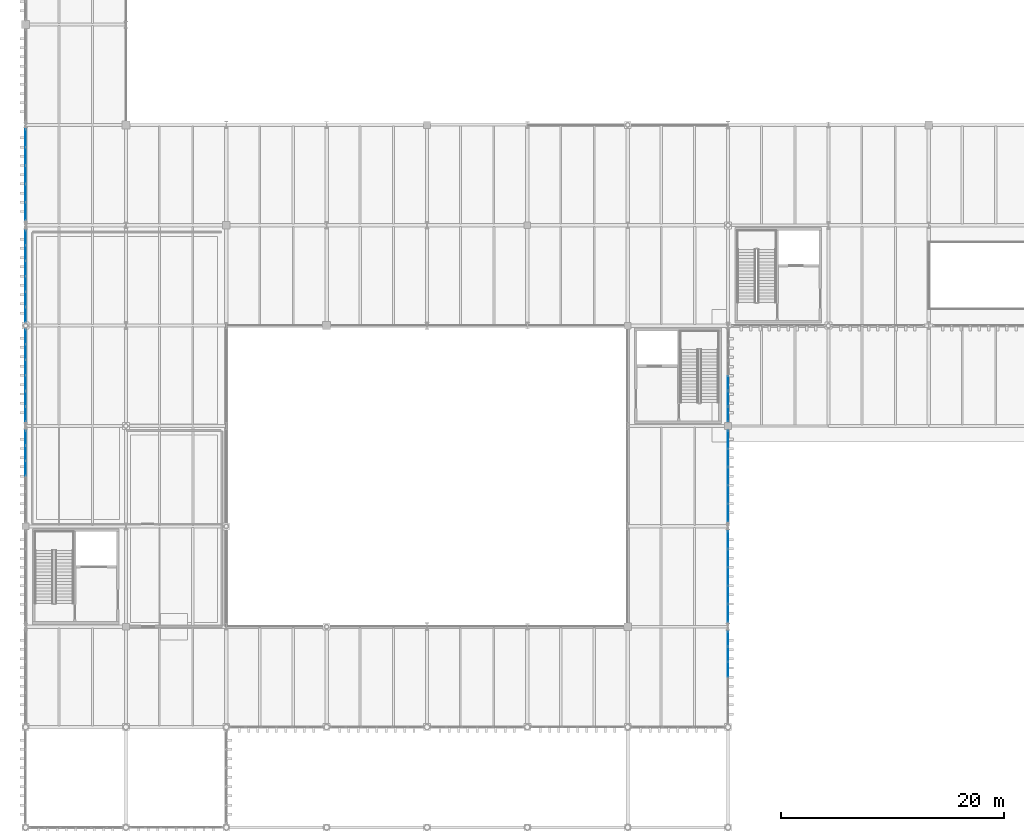
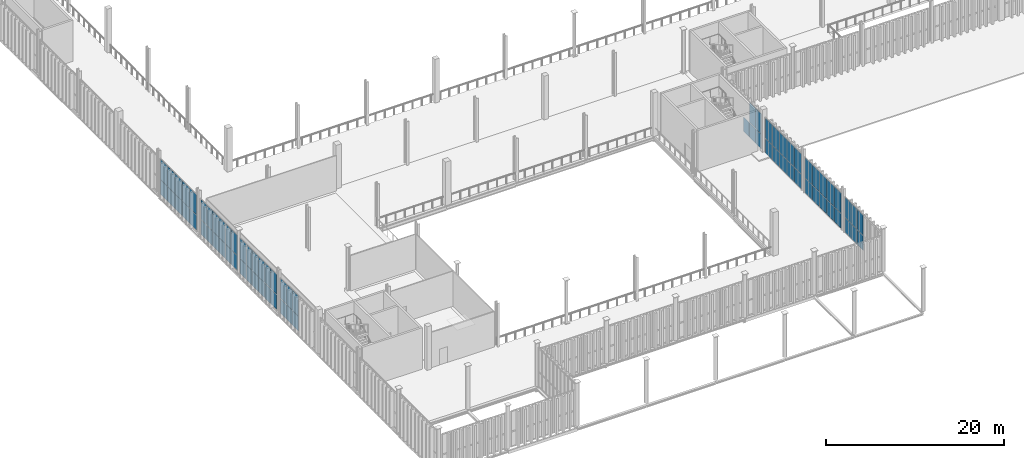
# One storey, part 153 of 211: 71 plates, 8 elements without a shape of their own.
"""IFC4 building model written with IfcOpenShell, lengths in metres."""

from ifc_helpers import new_model, si_unit, direction, frame, origin, origin_2d, place, context, subcontext, project, spatial, rectangle, extrude, material, layer, layer_set, type_object, element, aggregate, save


model = new_model("IFC4")

# Units and contexts
model_context = context("Model", 3, precision=1e-05, world=origin(), true_north=direction((0.0, 1.0)))
body_context = subcontext(model_context, "Body", "Model", "MODEL_VIEW")
ifc_project = project(units=[si_unit("LENGTHUNIT", "METRE"), si_unit("AREAUNIT", "SQUARE_METRE"), si_unit("VOLUMEUNIT", "CUBIC_METRE"), si_unit("PLANEANGLEUNIT", "RADIAN"), si_unit("MASSUNIT", "GRAM", prefix="KILO")], contexts=[model_context])

# Site, building, storey
site_placement = place(None, origin())
site = spatial("IfcSite", under=ifc_project, at=site_placement, CompositionType="ELEMENT")
building_placement = place(site_placement, origin())
building = spatial("IfcBuilding", under=site, at=building_placement, Name="Barlavento Convention Centre", CompositionType="ELEMENT")
storey_placement = place(building_placement, frame((0.0, 0.0, 6.0)))
storey = spatial("IfcBuildingStorey", under=building, at=storey_placement, Name="L01", CompositionType="ELEMENT", Elevation=6.0)

# Curtain wall, plates
ifc_material_1 = material(Name="Powder-coated aluminium and Low-E glass", Category="aluminium")
ifc_layer_1 = layer(ifc_material_1, 0.179931640625)
ifc_layer_set_1 = layer_set([ifc_layer_1], Name="ARC-CW-EXH-L01")
curtain_wall_type_1 = type_object("IfcCurtainWallType", Name="ARC-CW-EXH-L01", PredefinedType="NOTDEFINED", material=ifc_layer_set_1)
curtain_wall_1_placement = place(storey_placement, origin())
curtain_wall_1 = element("IfcCurtainWall", 1, at=curtain_wall_1_placement, inside=storey, type_object=curtain_wall_type_1, Name="L01 unitised curtain wall CW04", PredefinedType="NOTDEFINED")
ifc_material_2 = material(Name="Double-silver Low-E insulated glass", Category="glass")
ifc_layer_2 = layer(ifc_material_2, 0.028076171875)
ifc_layer_set_2 = layer_set([ifc_layer_2], Name="ARC-CWP-GLZ28")
plate_type_1 = type_object("IfcPlateType", Name="ARC-CWP-GLZ28", PredefinedType="CURTAIN_PANEL", material=ifc_layer_set_2)
plate_1_placement = place(storey_placement, frame((0.0, 55.254638671875, 0.06005859375), z_axis=(0.0, 0.0, 1.0), x_axis=(0.0, 1.0, 0.0)))
plate_1 = element("IfcPlate", 2, at=plate_1_placement, type_object=plate_type_1, Name="CW04 panel 1.1", PredefinedType="CURTAIN_PANEL", context=body_context, shape_type="SweptSolid", body=[
    extrude(rectangle(XDim=1.55126953125, YDim=0.028076171875, at=origin_2d()), origin(), (0.0, 0.0, 1.0), 2.010009765625),
])
plate_2_placement = place(storey_placement, frame((0.0, 55.254638671875, 2.1298828125), z_axis=(0.0, 0.0, 1.0), x_axis=(0.0, 1.0, 0.0)))
plate_2 = element("IfcPlate", 3, at=plate_2_placement, type_object=plate_type_1, Name="CW04 panel 1.2", PredefinedType="CURTAIN_PANEL", context=body_context, shape_type="SweptSolid", body=[
    extrude(rectangle(XDim=1.55126953125, YDim=0.028076171875, at=origin_2d()), origin(), (0.0, 0.0, 1.0), 2.760009765625),
])
plate_3_placement = place(storey_placement, frame((0.0, 56.88720703125, 0.06005859375), z_axis=(0.0, 0.0, 1.0), x_axis=(0.0, 1.0, 0.0)))
plate_3 = element("IfcPlate", 4, at=plate_3_placement, type_object=plate_type_1, Name="CW04 panel 2.1", PredefinedType="CURTAIN_PANEL", context=body_context, shape_type="SweptSolid", body=[
    extrude(rectangle(XDim=1.583740234375, YDim=0.028076171875, at=origin_2d()), origin(), (0.0, 0.0, 1.0), 2.010009765625),
])
plate_4_placement = place(storey_placement, frame((0.0, 56.88720703125, 2.1298828125), z_axis=(0.0, 0.0, 1.0), x_axis=(0.0, 1.0, 0.0)))
plate_4 = element("IfcPlate", 5, at=plate_4_placement, type_object=plate_type_1, Name="CW04 panel 2.2", PredefinedType="CURTAIN_PANEL", context=body_context, shape_type="SweptSolid", body=[
    extrude(rectangle(XDim=1.583740234375, YDim=0.028076171875, at=origin_2d()), origin(), (0.0, 0.0, 1.0), 2.760009765625),
])
plate_5_placement = place(storey_placement, frame((0.0, 58.535888671875, 0.06005859375), z_axis=(0.0, 0.0, 1.0), x_axis=(0.0, 1.0, 0.0)))
plate_5 = element("IfcPlate", 6, at=plate_5_placement, type_object=plate_type_1, Name="CW04 panel 3.1", PredefinedType="CURTAIN_PANEL", context=body_context, shape_type="SweptSolid", body=[
    extrude(rectangle(XDim=1.583740234375, YDim=0.028076171875, at=origin_2d()), origin(), (0.0, 0.0, 1.0), 2.010009765625),
])
plate_6_placement = place(storey_placement, frame((0.0, 58.535888671875, 2.1298828125), z_axis=(0.0, 0.0, 1.0), x_axis=(0.0, 1.0, 0.0)))
plate_6 = element("IfcPlate", 7, at=plate_6_placement, type_object=plate_type_1, Name="CW04 panel 3.2", PredefinedType="CURTAIN_PANEL", context=body_context, shape_type="SweptSolid", body=[
    extrude(rectangle(XDim=1.583740234375, YDim=0.028076171875, at=origin_2d()), origin(), (0.0, 0.0, 1.0), 2.760009765625),
])
plate_7_placement = place(storey_placement, frame((0.0, 60.184814453125, 0.06005859375), z_axis=(0.0, 0.0, 1.0), x_axis=(0.0, 1.0, 0.0)))
plate_7 = element("IfcPlate", 8, at=plate_7_placement, type_object=plate_type_1, Name="CW04 panel 4.1", PredefinedType="CURTAIN_PANEL", context=body_context, shape_type="SweptSolid", body=[
    extrude(rectangle(XDim=1.583740234375, YDim=0.028076171875, at=origin_2d()), origin(), (0.0, 0.0, 1.0), 2.010009765625),
])
plate_8_placement = place(storey_placement, frame((0.0, 60.184814453125, 2.1298828125), z_axis=(0.0, 0.0, 1.0), x_axis=(0.0, 1.0, 0.0)))
plate_8 = element("IfcPlate", 9, at=plate_8_placement, type_object=plate_type_1, Name="CW04 panel 4.2", PredefinedType="CURTAIN_PANEL", context=body_context, shape_type="SweptSolid", body=[
    extrude(rectangle(XDim=1.583740234375, YDim=0.028076171875, at=origin_2d()), origin(), (0.0, 0.0, 1.0), 2.760009765625),
])
plate_9_placement = place(storey_placement, frame((0.0, 61.8173828125, 0.06005859375), z_axis=(0.0, 0.0, 1.0), x_axis=(0.0, 1.0, 0.0)))
plate_9 = element("IfcPlate", 10, at=plate_9_placement, type_object=plate_type_1, Name="CW04 panel 5.1", PredefinedType="CURTAIN_PANEL", context=body_context, shape_type="SweptSolid", body=[
    extrude(rectangle(XDim=1.55126953125, YDim=0.028076171875, at=origin_2d()), origin(), (0.0, 0.0, 1.0), 2.010009765625),
])
plate_10_placement = place(storey_placement, frame((0.0, 61.8173828125, 2.1298828125), z_axis=(0.0, 0.0, 1.0), x_axis=(0.0, 1.0, 0.0)))
plate_10 = element("IfcPlate", 11, at=plate_10_placement, type_object=plate_type_1, Name="CW04 panel 5.2", PredefinedType="CURTAIN_PANEL", context=body_context, shape_type="SweptSolid", body=[
    extrude(rectangle(XDim=1.55126953125, YDim=0.028076171875, at=origin_2d()), origin(), (0.0, 0.0, 1.0), 2.760009765625),
])
aggregate(curtain_wall_1, [plate_1, plate_2, plate_3, plate_4, plate_5, plate_6, plate_7, plate_8, plate_9, plate_10])

ifc_layer_3 = layer(ifc_material_1, 0.18505859375)
ifc_layer_set_3 = layer_set([ifc_layer_3], Name="ARC-CW-CONG-L01")
curtain_wall_type_2 = type_object("IfcCurtainWallType", Name="ARC-CW-CONG-L01", PredefinedType="NOTDEFINED", material=ifc_layer_set_3)
curtain_wall_2_placement = place(storey_placement, origin())
curtain_wall_2 = element("IfcCurtainWall", 12, at=curtain_wall_2_placement, inside=storey, type_object=curtain_wall_type_2, Name="L01 unitised curtain wall CW01", PredefinedType="NOTDEFINED")
ifc_material_3 = material(Name="Double-silver Low-E acoustic laminated glass", Category="glass")
ifc_layer_4 = layer(ifc_material_3, 0.031982421875)
ifc_layer_set_4 = layer_set([ifc_layer_4], Name="ARC-CWP-GLZ32")
plate_type_2 = type_object("IfcPlateType", Name="ARC-CWP-GLZ32", PredefinedType="CURTAIN_PANEL", material=ifc_layer_set_4)
plate_11_placement = place(storey_placement, frame((0.0, 32.19482421875, 0.06494140625), z_axis=(0.0, 0.0, 1.0), x_axis=(0.0, 1.0, 0.0)))
plate_11 = element("IfcPlate", 13, at=plate_11_placement, type_object=plate_type_2, Name="CW01 panel 4.1", PredefinedType="CURTAIN_PANEL", context=body_context, shape_type="SweptSolid", body=[
    extrude(rectangle(XDim=1.310546875, YDim=0.031982421875, at=origin_2d()), origin(), (0.0, 0.0, 1.0), 2.00244140625),
])
plate_12_placement = place(storey_placement, frame((0.0, 32.19482421875, 2.132568359375), z_axis=(0.0, 0.0, 1.0), x_axis=(0.0, 1.0, 0.0)))
plate_12 = element("IfcPlate", 14, at=plate_12_placement, type_object=plate_type_2, Name="CW01 panel 4.2", PredefinedType="CURTAIN_PANEL", context=body_context, shape_type="SweptSolid", body=[
    extrude(rectangle(XDim=1.310546875, YDim=0.031982421875, at=origin_2d()), origin(), (0.0, 0.0, 1.0), 2.75244140625),
])
plate_13_placement = place(storey_placement, frame((0.0, 33.570556640625, 0.06494140625), z_axis=(0.0, 0.0, 1.0), x_axis=(0.0, 1.0, 0.0)))
plate_13 = element("IfcPlate", 15, at=plate_13_placement, type_object=plate_type_2, Name="CW01 panel 5.1", PredefinedType="CURTAIN_PANEL", context=body_context, shape_type="SweptSolid", body=[
    extrude(rectangle(XDim=1.310546875, YDim=0.031982421875, at=origin_2d()), origin(), (0.0, 0.0, 1.0), 2.00244140625),
])
plate_14_placement = place(storey_placement, frame((0.0, 33.570556640625, 2.132568359375), z_axis=(0.0, 0.0, 1.0), x_axis=(0.0, 1.0, 0.0)))
plate_14 = element("IfcPlate", 16, at=plate_14_placement, type_object=plate_type_2, Name="CW01 panel 5.2", PredefinedType="CURTAIN_PANEL", context=body_context, shape_type="SweptSolid", body=[
    extrude(rectangle(XDim=1.310546875, YDim=0.031982421875, at=origin_2d()), origin(), (0.0, 0.0, 1.0), 2.75244140625),
])
plate_15_placement = place(storey_placement, frame((0.0, 34.929931640625, 0.06494140625), z_axis=(0.0, 0.0, 1.0), x_axis=(0.0, 1.0, 0.0)))
plate_15 = element("IfcPlate", 17, at=plate_15_placement, type_object=plate_type_2, Name="CW01 panel 6.1", PredefinedType="CURTAIN_PANEL", context=body_context, shape_type="SweptSolid", body=[
    extrude(rectangle(XDim=1.278076171875, YDim=0.031982421875, at=origin_2d()), origin(), (0.0, 0.0, 1.0), 2.00244140625),
])
plate_16_placement = place(storey_placement, frame((0.0, 34.929931640625, 2.132568359375), z_axis=(0.0, 0.0, 1.0), x_axis=(0.0, 1.0, 0.0)))
plate_16 = element("IfcPlate", 18, at=plate_16_placement, type_object=plate_type_2, Name="CW01 panel 6.2", PredefinedType="CURTAIN_PANEL", context=body_context, shape_type="SweptSolid", body=[
    extrude(rectangle(XDim=1.278076171875, YDim=0.031982421875, at=origin_2d()), origin(), (0.0, 0.0, 1.0), 2.75244140625),
])
aggregate(curtain_wall_2, [plate_11, plate_12, plate_13, plate_14, plate_15, plate_16])

curtain_wall_3_placement = place(storey_placement, origin())
curtain_wall_3 = element("IfcCurtainWall", 19, at=curtain_wall_3_placement, inside=storey, type_object=curtain_wall_type_2, Name="L01 unitised curtain wall CW01", PredefinedType="NOTDEFINED")
plate_17_placement = place(storey_placement, frame((0.0, 37.078125, 0.06494140625), z_axis=(0.0, 0.0, 1.0), x_axis=(0.0, 1.0, 0.0)))
plate_17 = element("IfcPlate", 20, at=plate_17_placement, type_object=plate_type_2, Name="CW01 panel 1.1", PredefinedType="CURTAIN_PANEL", context=body_context, shape_type="SweptSolid", body=[
    extrude(rectangle(XDim=1.294189453125, YDim=0.031982421875, at=origin_2d()), origin(), (0.0, 0.0, 1.0), 2.00244140625),
])
plate_18_placement = place(storey_placement, frame((0.0, 37.078125, 2.132568359375), z_axis=(0.0, 0.0, 1.0), x_axis=(0.0, 1.0, 0.0)))
plate_18 = element("IfcPlate", 21, at=plate_18_placement, type_object=plate_type_2, Name="CW01 panel 1.2", PredefinedType="CURTAIN_PANEL", context=body_context, shape_type="SweptSolid", body=[
    extrude(rectangle(XDim=1.294189453125, YDim=0.031982421875, at=origin_2d()), origin(), (0.0, 0.0, 1.0), 2.75244140625),
])
plate_19_placement = place(storey_placement, frame((0.0, 38.45361328125, 0.06494140625), z_axis=(0.0, 0.0, 1.0), x_axis=(0.0, 1.0, 0.0)))
plate_19 = element("IfcPlate", 22, at=plate_19_placement, type_object=plate_type_2, Name="CW01 panel 2.1", PredefinedType="CURTAIN_PANEL", context=body_context, shape_type="SweptSolid", body=[
    extrude(rectangle(XDim=1.326904296875, YDim=0.031982421875, at=origin_2d()), origin(), (0.0, 0.0, 1.0), 2.00244140625),
])
plate_20_placement = place(storey_placement, frame((0.0, 38.45361328125, 2.132568359375), z_axis=(0.0, 0.0, 1.0), x_axis=(0.0, 1.0, 0.0)))
plate_20 = element("IfcPlate", 23, at=plate_20_placement, type_object=plate_type_2, Name="CW01 panel 2.2", PredefinedType="CURTAIN_PANEL", context=body_context, shape_type="SweptSolid", body=[
    extrude(rectangle(XDim=1.326904296875, YDim=0.031982421875, at=origin_2d()), origin(), (0.0, 0.0, 1.0), 2.75244140625),
])
plate_21_placement = place(storey_placement, frame((0.0, 39.845458984375, 0.06494140625), z_axis=(0.0, 0.0, 1.0), x_axis=(0.0, 1.0, 0.0)))
plate_21 = element("IfcPlate", 24, at=plate_21_placement, type_object=plate_type_2, Name="CW01 panel 3.1", PredefinedType="CURTAIN_PANEL", context=body_context, shape_type="SweptSolid", body=[
    extrude(rectangle(XDim=1.326904296875, YDim=0.031982421875, at=origin_2d()), origin(), (0.0, 0.0, 1.0), 2.00244140625),
])
plate_22_placement = place(storey_placement, frame((0.0, 39.845458984375, 2.132568359375), z_axis=(0.0, 0.0, 1.0), x_axis=(0.0, 1.0, 0.0)))
plate_22 = element("IfcPlate", 25, at=plate_22_placement, type_object=plate_type_2, Name="CW01 panel 3.2", PredefinedType="CURTAIN_PANEL", context=body_context, shape_type="SweptSolid", body=[
    extrude(rectangle(XDim=1.326904296875, YDim=0.031982421875, at=origin_2d()), origin(), (0.0, 0.0, 1.0), 2.75244140625),
])
plate_23_placement = place(storey_placement, frame((0.0, 41.2373046875, 0.06494140625), z_axis=(0.0, 0.0, 1.0), x_axis=(0.0, 1.0, 0.0)))
plate_23 = element("IfcPlate", 26, at=plate_23_placement, type_object=plate_type_2, Name="CW01 panel 4.1", PredefinedType="CURTAIN_PANEL", context=body_context, shape_type="SweptSolid", body=[
    extrude(rectangle(XDim=1.326904296875, YDim=0.031982421875, at=origin_2d()), origin(), (0.0, 0.0, 1.0), 2.00244140625),
])
plate_24_placement = place(storey_placement, frame((0.0, 41.2373046875, 2.132568359375), z_axis=(0.0, 0.0, 1.0), x_axis=(0.0, 1.0, 0.0)))
plate_24 = element("IfcPlate", 27, at=plate_24_placement, type_object=plate_type_2, Name="CW01 panel 4.2", PredefinedType="CURTAIN_PANEL", context=body_context, shape_type="SweptSolid", body=[
    extrude(rectangle(XDim=1.326904296875, YDim=0.031982421875, at=origin_2d()), origin(), (0.0, 0.0, 1.0), 2.75244140625),
])
plate_25_placement = place(storey_placement, frame((0.0, 42.629150390625, 0.06494140625), z_axis=(0.0, 0.0, 1.0), x_axis=(0.0, 1.0, 0.0)))
plate_25 = element("IfcPlate", 28, at=plate_25_placement, type_object=plate_type_2, Name="CW01 panel 5.1", PredefinedType="CURTAIN_PANEL", context=body_context, shape_type="SweptSolid", body=[
    extrude(rectangle(XDim=1.326904296875, YDim=0.031982421875, at=origin_2d()), origin(), (0.0, 0.0, 1.0), 2.00244140625),
])
plate_26_placement = place(storey_placement, frame((0.0, 42.629150390625, 2.132568359375), z_axis=(0.0, 0.0, 1.0), x_axis=(0.0, 1.0, 0.0)))
plate_26 = element("IfcPlate", 29, at=plate_26_placement, type_object=plate_type_2, Name="CW01 panel 5.2", PredefinedType="CURTAIN_PANEL", context=body_context, shape_type="SweptSolid", body=[
    extrude(rectangle(XDim=1.326904296875, YDim=0.031982421875, at=origin_2d()), origin(), (0.0, 0.0, 1.0), 2.75244140625),
])
plate_27_placement = place(storey_placement, frame((0.0, 44.004638671875, 0.06494140625), z_axis=(0.0, 0.0, 1.0), x_axis=(0.0, 1.0, 0.0)))
plate_27 = element("IfcPlate", 30, at=plate_27_placement, type_object=plate_type_2, Name="CW01 panel 6.1", PredefinedType="CURTAIN_PANEL", context=body_context, shape_type="SweptSolid", body=[
    extrude(rectangle(XDim=1.294189453125, YDim=0.031982421875, at=origin_2d()), origin(), (0.0, 0.0, 1.0), 2.00244140625),
])
plate_28_placement = place(storey_placement, frame((0.0, 44.004638671875, 2.132568359375), z_axis=(0.0, 0.0, 1.0), x_axis=(0.0, 1.0, 0.0)))
plate_28 = element("IfcPlate", 31, at=plate_28_placement, type_object=plate_type_2, Name="CW01 panel 6.2", PredefinedType="CURTAIN_PANEL", context=body_context, shape_type="SweptSolid", body=[
    extrude(rectangle(XDim=1.294189453125, YDim=0.031982421875, at=origin_2d()), origin(), (0.0, 0.0, 1.0), 2.75244140625),
])
aggregate(curtain_wall_3, [plate_17, plate_18, plate_19, plate_20, plate_21, plate_22, plate_23, plate_24, plate_25, plate_26, plate_27, plate_28])

curtain_wall_4_placement = place(storey_placement, origin())
curtain_wall_4 = element("IfcCurtainWall", 32, at=curtain_wall_4_placement, inside=storey, type_object=curtain_wall_type_2, Name="L01 unitised curtain wall CW01", PredefinedType="NOTDEFINED")
plate_29_placement = place(storey_placement, frame((0.0, 45.991455078125, 0.06494140625), z_axis=(0.0, 0.0, 1.0), x_axis=(0.0, 1.0, 0.0)))
plate_29 = element("IfcPlate", 33, at=plate_29_placement, type_object=plate_type_2, Name="CW01 panel 1.1", PredefinedType="CURTAIN_PANEL", context=body_context, shape_type="SweptSolid", body=[
    extrude(rectangle(XDim=1.286376953125, YDim=0.031982421875, at=origin_2d()), origin(), (0.0, 0.0, 1.0), 2.00244140625),
])
plate_30_placement = place(storey_placement, frame((0.0, 45.991455078125, 2.132568359375), z_axis=(0.0, 0.0, 1.0), x_axis=(0.0, 1.0, 0.0)))
plate_30 = element("IfcPlate", 34, at=plate_30_placement, type_object=plate_type_2, Name="CW01 panel 1.2", PredefinedType="CURTAIN_PANEL", context=body_context, shape_type="SweptSolid", body=[
    extrude(rectangle(XDim=1.286376953125, YDim=0.031982421875, at=origin_2d()), origin(), (0.0, 0.0, 1.0), 2.75244140625),
])
plate_31_placement = place(storey_placement, frame((0.0, 47.35888671875, 0.06494140625), z_axis=(0.0, 0.0, 1.0), x_axis=(0.0, 1.0, 0.0)))
plate_31 = element("IfcPlate", 35, at=plate_31_placement, type_object=plate_type_2, Name="CW01 panel 2.1", PredefinedType="CURTAIN_PANEL", context=body_context, shape_type="SweptSolid", body=[
    extrude(rectangle(XDim=1.31884765625, YDim=0.031982421875, at=origin_2d()), origin(), (0.0, 0.0, 1.0), 2.00244140625),
])
plate_32_placement = place(storey_placement, frame((0.0, 47.35888671875, 2.132568359375), z_axis=(0.0, 0.0, 1.0), x_axis=(0.0, 1.0, 0.0)))
plate_32 = element("IfcPlate", 36, at=plate_32_placement, type_object=plate_type_2, Name="CW01 panel 2.2", PredefinedType="CURTAIN_PANEL", context=body_context, shape_type="SweptSolid", body=[
    extrude(rectangle(XDim=1.31884765625, YDim=0.031982421875, at=origin_2d()), origin(), (0.0, 0.0, 1.0), 2.75244140625),
])
plate_33_placement = place(storey_placement, frame((0.0, 48.74267578125, 0.06494140625), z_axis=(0.0, 0.0, 1.0), x_axis=(0.0, 1.0, 0.0)))
plate_33 = element("IfcPlate", 37, at=plate_33_placement, type_object=plate_type_2, Name="CW01 panel 3.1", PredefinedType="CURTAIN_PANEL", context=body_context, shape_type="SweptSolid", body=[
    extrude(rectangle(XDim=1.31884765625, YDim=0.031982421875, at=origin_2d()), origin(), (0.0, 0.0, 1.0), 2.00244140625),
])
plate_34_placement = place(storey_placement, frame((0.0, 48.74267578125, 2.132568359375), z_axis=(0.0, 0.0, 1.0), x_axis=(0.0, 1.0, 0.0)))
plate_34 = element("IfcPlate", 38, at=plate_34_placement, type_object=plate_type_2, Name="CW01 panel 3.2", PredefinedType="CURTAIN_PANEL", context=body_context, shape_type="SweptSolid", body=[
    extrude(rectangle(XDim=1.31884765625, YDim=0.031982421875, at=origin_2d()), origin(), (0.0, 0.0, 1.0), 2.75244140625),
])
plate_35_placement = place(storey_placement, frame((0.0, 50.12646484375, 0.06494140625), z_axis=(0.0, 0.0, 1.0), x_axis=(0.0, 1.0, 0.0)))
plate_35 = element("IfcPlate", 39, at=plate_35_placement, type_object=plate_type_2, Name="CW01 panel 4.1", PredefinedType="CURTAIN_PANEL", context=body_context, shape_type="SweptSolid", body=[
    extrude(rectangle(XDim=1.31884765625, YDim=0.031982421875, at=origin_2d()), origin(), (0.0, 0.0, 1.0), 2.00244140625),
])
plate_36_placement = place(storey_placement, frame((0.0, 50.12646484375, 2.132568359375), z_axis=(0.0, 0.0, 1.0), x_axis=(0.0, 1.0, 0.0)))
plate_36 = element("IfcPlate", 40, at=plate_36_placement, type_object=plate_type_2, Name="CW01 panel 4.2", PredefinedType="CURTAIN_PANEL", context=body_context, shape_type="SweptSolid", body=[
    extrude(rectangle(XDim=1.31884765625, YDim=0.031982421875, at=origin_2d()), origin(), (0.0, 0.0, 1.0), 2.75244140625),
])
plate_37_placement = place(storey_placement, frame((0.0, 51.51025390625, 0.06494140625), z_axis=(0.0, 0.0, 1.0), x_axis=(0.0, 1.0, 0.0)))
plate_37 = element("IfcPlate", 41, at=plate_37_placement, type_object=plate_type_2, Name="CW01 panel 5.1", PredefinedType="CURTAIN_PANEL", context=body_context, shape_type="SweptSolid", body=[
    extrude(rectangle(XDim=1.31884765625, YDim=0.031982421875, at=origin_2d()), origin(), (0.0, 0.0, 1.0), 2.00244140625),
])
plate_38_placement = place(storey_placement, frame((0.0, 51.51025390625, 2.132568359375), z_axis=(0.0, 0.0, 1.0), x_axis=(0.0, 1.0, 0.0)))
plate_38 = element("IfcPlate", 42, at=plate_38_placement, type_object=plate_type_2, Name="CW01 panel 5.2", PredefinedType="CURTAIN_PANEL", context=body_context, shape_type="SweptSolid", body=[
    extrude(rectangle(XDim=1.31884765625, YDim=0.031982421875, at=origin_2d()), origin(), (0.0, 0.0, 1.0), 2.75244140625),
])
plate_39_placement = place(storey_placement, frame((0.0, 52.8779296875, 0.06494140625), z_axis=(0.0, 0.0, 1.0), x_axis=(0.0, 1.0, 0.0)))
plate_39 = element("IfcPlate", 43, at=plate_39_placement, type_object=plate_type_2, Name="CW01 panel 6.1", PredefinedType="CURTAIN_PANEL", context=body_context, shape_type="SweptSolid", body=[
    extrude(rectangle(XDim=1.286376953125, YDim=0.031982421875, at=origin_2d()), origin(), (0.0, 0.0, 1.0), 2.00244140625),
])
plate_40_placement = place(storey_placement, frame((0.0, 52.8779296875, 2.132568359375), z_axis=(0.0, 0.0, 1.0), x_axis=(0.0, 1.0, 0.0)))
plate_40 = element("IfcPlate", 44, at=plate_40_placement, type_object=plate_type_2, Name="CW01 panel 6.2", PredefinedType="CURTAIN_PANEL", context=body_context, shape_type="SweptSolid", body=[
    extrude(rectangle(XDim=1.286376953125, YDim=0.031982421875, at=origin_2d()), origin(), (0.0, 0.0, 1.0), 2.75244140625),
])
aggregate(curtain_wall_4, [plate_29, plate_30, plate_31, plate_32, plate_33, plate_34, plate_35, plate_36, plate_37, plate_38, plate_39, plate_40])

curtain_wall_5_placement = place(storey_placement, origin())
curtain_wall_5 = element("IfcCurtainWall", 45, at=curtain_wall_5_placement, inside=storey, type_object=curtain_wall_type_2, Name="L01 unitised curtain wall CW01", PredefinedType="NOTDEFINED")
plate_41_placement = place(storey_placement, frame((63.0, 14.16162109375, 0.06494140625), z_axis=(0.0, 0.0, 1.0), x_axis=(0.0, 1.0, 0.0)))
plate_41 = element("IfcPlate", 46, at=plate_41_placement, type_object=plate_type_2, Name="CW01 panel 4.1", PredefinedType="CURTAIN_PANEL", context=body_context, shape_type="SweptSolid", body=[
    extrude(rectangle(XDim=1.314453125, YDim=0.031982421875, at=origin_2d()), origin(), (0.0, 0.0, 1.0), 2.00244140625),
])
plate_42_placement = place(storey_placement, frame((63.0, 14.16162109375, 2.132568359375), z_axis=(0.0, 0.0, 1.0), x_axis=(0.0, 1.0, 0.0)))
plate_42 = element("IfcPlate", 47, at=plate_42_placement, type_object=plate_type_2, Name="CW01 panel 4.2", PredefinedType="CURTAIN_PANEL", context=body_context, shape_type="SweptSolid", body=[
    extrude(rectangle(XDim=1.314453125, YDim=0.031982421875, at=origin_2d()), origin(), (0.0, 0.0, 1.0), 2.75244140625),
])
plate_43_placement = place(storey_placement, frame((63.0, 15.541015625, 0.06494140625), z_axis=(0.0, 0.0, 1.0), x_axis=(0.0, 1.0, 0.0)))
plate_43 = element("IfcPlate", 48, at=plate_43_placement, type_object=plate_type_2, Name="CW01 panel 5.1", PredefinedType="CURTAIN_PANEL", context=body_context, shape_type="SweptSolid", body=[
    extrude(rectangle(XDim=1.314453125, YDim=0.031982421875, at=origin_2d()), origin(), (0.0, 0.0, 1.0), 2.00244140625),
])
plate_44_placement = place(storey_placement, frame((63.0, 15.541015625, 2.132568359375), z_axis=(0.0, 0.0, 1.0), x_axis=(0.0, 1.0, 0.0)))
plate_44 = element("IfcPlate", 49, at=plate_44_placement, type_object=plate_type_2, Name="CW01 panel 5.2", PredefinedType="CURTAIN_PANEL", context=body_context, shape_type="SweptSolid", body=[
    extrude(rectangle(XDim=1.314453125, YDim=0.031982421875, at=origin_2d()), origin(), (0.0, 0.0, 1.0), 2.75244140625),
])
plate_45_placement = place(storey_placement, frame((63.0, 16.904052734375, 0.06494140625), z_axis=(0.0, 0.0, 1.0), x_axis=(0.0, 1.0, 0.0)))
plate_45 = element("IfcPlate", 50, at=plate_45_placement, type_object=plate_type_2, Name="CW01 panel 6.1", PredefinedType="CURTAIN_PANEL", context=body_context, shape_type="SweptSolid", body=[
    extrude(rectangle(XDim=1.28173828125, YDim=0.031982421875, at=origin_2d()), origin(), (0.0, 0.0, 1.0), 2.00244140625),
])
plate_46_placement = place(storey_placement, frame((63.0, 16.904052734375, 2.132568359375), z_axis=(0.0, 0.0, 1.0), x_axis=(0.0, 1.0, 0.0)))
plate_46 = element("IfcPlate", 51, at=plate_46_placement, type_object=plate_type_2, Name="CW01 panel 6.2", PredefinedType="CURTAIN_PANEL", context=body_context, shape_type="SweptSolid", body=[
    extrude(rectangle(XDim=1.28173828125, YDim=0.031982421875, at=origin_2d()), origin(), (0.0, 0.0, 1.0), 2.75244140625),
])
aggregate(curtain_wall_5, [plate_41, plate_42, plate_43, plate_44, plate_45, plate_46])

curtain_wall_6_placement = place(storey_placement, origin())
curtain_wall_6 = element("IfcCurtainWall", 52, at=curtain_wall_6_placement, inside=storey, type_object=curtain_wall_type_2, Name="L01 unitised curtain wall CW01", PredefinedType="NOTDEFINED")
plate_47_placement = place(storey_placement, frame((63.0, 19.229248046875, 0.06494140625), z_axis=(0.0, 0.0, 1.0), x_axis=(0.0, 1.0, 0.0)))
plate_47 = element("IfcPlate", 53, at=plate_47_placement, type_object=plate_type_2, Name="CW01 panel 1.1", PredefinedType="CURTAIN_PANEL", context=body_context, shape_type="SweptSolid", body=[
    extrude(rectangle(XDim=1.548583984375, YDim=0.031982421875, at=origin_2d()), origin(), (0.0, 0.0, 1.0), 2.00244140625),
])
plate_48_placement = place(storey_placement, frame((63.0, 19.229248046875, 2.132568359375), z_axis=(0.0, 0.0, 1.0), x_axis=(0.0, 1.0, 0.0)))
plate_48 = element("IfcPlate", 54, at=plate_48_placement, type_object=plate_type_2, Name="CW01 panel 1.2", PredefinedType="CURTAIN_PANEL", context=body_context, shape_type="SweptSolid", body=[
    extrude(rectangle(XDim=1.548583984375, YDim=0.031982421875, at=origin_2d()), origin(), (0.0, 0.0, 1.0), 2.75244140625),
])
plate_49_placement = place(storey_placement, frame((63.0, 20.85888671875, 0.06494140625), z_axis=(0.0, 0.0, 1.0), x_axis=(0.0, 1.0, 0.0)))
plate_49 = element("IfcPlate", 55, at=plate_49_placement, type_object=plate_type_2, Name="CW01 panel 2.1", PredefinedType="CURTAIN_PANEL", context=body_context, shape_type="SweptSolid", body=[
    extrude(rectangle(XDim=1.5810546875, YDim=0.031982421875, at=origin_2d()), origin(), (0.0, 0.0, 1.0), 2.00244140625),
])
plate_50_placement = place(storey_placement, frame((63.0, 20.85888671875, 2.132568359375), z_axis=(0.0, 0.0, 1.0), x_axis=(0.0, 1.0, 0.0)))
plate_50 = element("IfcPlate", 56, at=plate_50_placement, type_object=plate_type_2, Name="CW01 panel 2.2", PredefinedType="CURTAIN_PANEL", context=body_context, shape_type="SweptSolid", body=[
    extrude(rectangle(XDim=1.5810546875, YDim=0.031982421875, at=origin_2d()), origin(), (0.0, 0.0, 1.0), 2.75244140625),
])
plate_51_placement = place(storey_placement, frame((63.0, 22.5048828125, 0.06494140625), z_axis=(0.0, 0.0, 1.0), x_axis=(0.0, 1.0, 0.0)))
plate_51 = element("IfcPlate", 57, at=plate_51_placement, type_object=plate_type_2, Name="CW01 panel 3.1", PredefinedType="CURTAIN_PANEL", context=body_context, shape_type="SweptSolid", body=[
    extrude(rectangle(XDim=1.5810546875, YDim=0.031982421875, at=origin_2d()), origin(), (0.0, 0.0, 1.0), 2.00244140625),
])
plate_52_placement = place(storey_placement, frame((63.0, 22.5048828125, 2.132568359375), z_axis=(0.0, 0.0, 1.0), x_axis=(0.0, 1.0, 0.0)))
plate_52 = element("IfcPlate", 58, at=plate_52_placement, type_object=plate_type_2, Name="CW01 panel 3.2", PredefinedType="CURTAIN_PANEL", context=body_context, shape_type="SweptSolid", body=[
    extrude(rectangle(XDim=1.5810546875, YDim=0.031982421875, at=origin_2d()), origin(), (0.0, 0.0, 1.0), 2.75244140625),
])
plate_53_placement = place(storey_placement, frame((63.0, 24.15087890625, 0.06494140625), z_axis=(0.0, 0.0, 1.0), x_axis=(0.0, 1.0, 0.0)))
plate_53 = element("IfcPlate", 59, at=plate_53_placement, type_object=plate_type_2, Name="CW01 panel 4.1", PredefinedType="CURTAIN_PANEL", context=body_context, shape_type="SweptSolid", body=[
    extrude(rectangle(XDim=1.5810546875, YDim=0.031982421875, at=origin_2d()), origin(), (0.0, 0.0, 1.0), 2.00244140625),
])
plate_54_placement = place(storey_placement, frame((63.0, 24.15087890625, 2.132568359375), z_axis=(0.0, 0.0, 1.0), x_axis=(0.0, 1.0, 0.0)))
plate_54 = element("IfcPlate", 60, at=plate_54_placement, type_object=plate_type_2, Name="CW01 panel 4.2", PredefinedType="CURTAIN_PANEL", context=body_context, shape_type="SweptSolid", body=[
    extrude(rectangle(XDim=1.5810546875, YDim=0.031982421875, at=origin_2d()), origin(), (0.0, 0.0, 1.0), 2.75244140625),
])
plate_55_placement = place(storey_placement, frame((63.0, 25.78076171875, 0.06494140625), z_axis=(0.0, 0.0, 1.0), x_axis=(0.0, 1.0, 0.0)))
plate_55 = element("IfcPlate", 61, at=plate_55_placement, type_object=plate_type_2, Name="CW01 panel 5.1", PredefinedType="CURTAIN_PANEL", context=body_context, shape_type="SweptSolid", body=[
    extrude(rectangle(XDim=1.548583984375, YDim=0.031982421875, at=origin_2d()), origin(), (0.0, 0.0, 1.0), 2.00244140625),
])
plate_56_placement = place(storey_placement, frame((63.0, 25.78076171875, 2.132568359375), z_axis=(0.0, 0.0, 1.0), x_axis=(0.0, 1.0, 0.0)))
plate_56 = element("IfcPlate", 62, at=plate_56_placement, type_object=plate_type_2, Name="CW01 panel 5.2", PredefinedType="CURTAIN_PANEL", context=body_context, shape_type="SweptSolid", body=[
    extrude(rectangle(XDim=1.548583984375, YDim=0.031982421875, at=origin_2d()), origin(), (0.0, 0.0, 1.0), 2.75244140625),
])
aggregate(curtain_wall_6, [plate_47, plate_48, plate_49, plate_50, plate_51, plate_52, plate_53, plate_54, plate_55, plate_56])

curtain_wall_7_placement = place(storey_placement, origin())
curtain_wall_7 = element("IfcCurtainWall", 63, at=curtain_wall_7_placement, inside=storey, type_object=curtain_wall_type_2, Name="L01 unitised curtain wall CW01", PredefinedType="NOTDEFINED")
plate_57_placement = place(storey_placement, frame((63.0, 28.22021484375, 0.06494140625), z_axis=(0.0, 0.0, 1.0), x_axis=(0.0, 1.0, 0.0)))
plate_57 = element("IfcPlate", 64, at=plate_57_placement, type_object=plate_type_2, Name="CW01 panel 1.1", PredefinedType="CURTAIN_PANEL", context=body_context, shape_type="SweptSolid", body=[
    extrude(rectangle(XDim=1.550537109375, YDim=0.031982421875, at=origin_2d()), origin(), (0.0, 0.0, 1.0), 2.00244140625),
])
plate_58_placement = place(storey_placement, frame((63.0, 28.22021484375, 2.132568359375), z_axis=(0.0, 0.0, 1.0), x_axis=(0.0, 1.0, 0.0)))
plate_58 = element("IfcPlate", 65, at=plate_58_placement, type_object=plate_type_2, Name="CW01 panel 1.2", PredefinedType="CURTAIN_PANEL", context=body_context, shape_type="SweptSolid", body=[
    extrude(rectangle(XDim=1.550537109375, YDim=0.031982421875, at=origin_2d()), origin(), (0.0, 0.0, 1.0), 2.75244140625),
])
plate_59_placement = place(storey_placement, frame((63.0, 29.85205078125, 0.06494140625), z_axis=(0.0, 0.0, 1.0), x_axis=(0.0, 1.0, 0.0)))
plate_59 = element("IfcPlate", 66, at=plate_59_placement, type_object=plate_type_2, Name="CW01 panel 2.1", PredefinedType="CURTAIN_PANEL", context=body_context, shape_type="SweptSolid", body=[
    extrude(rectangle(XDim=1.5830078125, YDim=0.031982421875, at=origin_2d()), origin(), (0.0, 0.0, 1.0), 2.00244140625),
])
plate_60_placement = place(storey_placement, frame((63.0, 29.85205078125, 2.132568359375), z_axis=(0.0, 0.0, 1.0), x_axis=(0.0, 1.0, 0.0)))
plate_60 = element("IfcPlate", 67, at=plate_60_placement, type_object=plate_type_2, Name="CW01 panel 2.2", PredefinedType="CURTAIN_PANEL", context=body_context, shape_type="SweptSolid", body=[
    extrude(rectangle(XDim=1.5830078125, YDim=0.031982421875, at=origin_2d()), origin(), (0.0, 0.0, 1.0), 2.75244140625),
])
plate_61_placement = place(storey_placement, frame((63.0, 31.5, 0.06494140625), z_axis=(0.0, 0.0, 1.0), x_axis=(0.0, 1.0, 0.0)))
plate_61 = element("IfcPlate", 68, at=plate_61_placement, type_object=plate_type_2, Name="CW01 panel 3.1", PredefinedType="CURTAIN_PANEL", context=body_context, shape_type="SweptSolid", body=[
    extrude(rectangle(XDim=1.5830078125, YDim=0.031982421875, at=origin_2d()), origin(), (0.0, 0.0, 1.0), 2.00244140625),
])
plate_62_placement = place(storey_placement, frame((63.0, 31.5, 2.132568359375), z_axis=(0.0, 0.0, 1.0), x_axis=(0.0, 1.0, 0.0)))
plate_62 = element("IfcPlate", 69, at=plate_62_placement, type_object=plate_type_2, Name="CW01 panel 3.2", PredefinedType="CURTAIN_PANEL", context=body_context, shape_type="SweptSolid", body=[
    extrude(rectangle(XDim=1.5830078125, YDim=0.031982421875, at=origin_2d()), origin(), (0.0, 0.0, 1.0), 2.75244140625),
])
plate_63_placement = place(storey_placement, frame((63.0, 33.14794921875, 0.06494140625), z_axis=(0.0, 0.0, 1.0), x_axis=(0.0, 1.0, 0.0)))
plate_63 = element("IfcPlate", 70, at=plate_63_placement, type_object=plate_type_2, Name="CW01 panel 4.1", PredefinedType="CURTAIN_PANEL", context=body_context, shape_type="SweptSolid", body=[
    extrude(rectangle(XDim=1.5830078125, YDim=0.031982421875, at=origin_2d()), origin(), (0.0, 0.0, 1.0), 2.00244140625),
])
plate_64_placement = place(storey_placement, frame((63.0, 33.14794921875, 2.132568359375), z_axis=(0.0, 0.0, 1.0), x_axis=(0.0, 1.0, 0.0)))
plate_64 = element("IfcPlate", 71, at=plate_64_placement, type_object=plate_type_2, Name="CW01 panel 4.2", PredefinedType="CURTAIN_PANEL", context=body_context, shape_type="SweptSolid", body=[
    extrude(rectangle(XDim=1.5830078125, YDim=0.031982421875, at=origin_2d()), origin(), (0.0, 0.0, 1.0), 2.75244140625),
])
plate_65_placement = place(storey_placement, frame((63.0, 34.77978515625, 0.06494140625), z_axis=(0.0, 0.0, 1.0), x_axis=(0.0, 1.0, 0.0)))
plate_65 = element("IfcPlate", 72, at=plate_65_placement, type_object=plate_type_2, Name="CW01 panel 5.1", PredefinedType="CURTAIN_PANEL", context=body_context, shape_type="SweptSolid", body=[
    extrude(rectangle(XDim=1.550537109375, YDim=0.031982421875, at=origin_2d()), origin(), (0.0, 0.0, 1.0), 2.00244140625),
])
plate_66_placement = place(storey_placement, frame((63.0, 34.77978515625, 2.132568359375), z_axis=(0.0, 0.0, 1.0), x_axis=(0.0, 1.0, 0.0)))
plate_66 = element("IfcPlate", 73, at=plate_66_placement, type_object=plate_type_2, Name="CW01 panel 5.2", PredefinedType="CURTAIN_PANEL", context=body_context, shape_type="SweptSolid", body=[
    extrude(rectangle(XDim=1.550537109375, YDim=0.031982421875, at=origin_2d()), origin(), (0.0, 0.0, 1.0), 2.75244140625),
])
aggregate(curtain_wall_7, [plate_57, plate_58, plate_59, plate_60, plate_61, plate_62, plate_63, plate_64, plate_65, plate_66])

curtain_wall_8_placement = place(storey_placement, origin())
curtain_wall_8 = element("IfcCurtainWall", 74, at=curtain_wall_8_placement, inside=storey, type_object=curtain_wall_type_2, Name="L01 unitised curtain wall CW01", PredefinedType="NOTDEFINED")
plate_67_placement = place(storey_placement, frame((63.0, 37.083984375, 0.06494140625), z_axis=(0.0, 0.0, 1.0), x_axis=(0.0, 1.0, 0.0)))
plate_67 = element("IfcPlate", 75, at=plate_67_placement, type_object=plate_type_2, Name="CW01 panel 1.1", PredefinedType="CURTAIN_PANEL", context=body_context, shape_type="SweptSolid", body=[
    extrude(rectangle(XDim=1.278076171875, YDim=0.031982421875, at=origin_2d()), origin(), (0.0, 0.0, 1.0), 2.00244140625),
])
plate_68_placement = place(storey_placement, frame((63.0, 37.083984375, 2.132568359375), z_axis=(0.0, 0.0, 1.0), x_axis=(0.0, 1.0, 0.0)))
plate_68 = element("IfcPlate", 76, at=plate_68_placement, type_object=plate_type_2, Name="CW01 panel 1.2", PredefinedType="CURTAIN_PANEL", context=body_context, shape_type="SweptSolid", body=[
    extrude(rectangle(XDim=1.278076171875, YDim=0.031982421875, at=origin_2d()), origin(), (0.0, 0.0, 1.0), 2.75244140625),
])
plate_69_placement = place(storey_placement, frame((63.0, 38.443603515625, 0.06494140625), z_axis=(0.0, 0.0, 1.0), x_axis=(0.0, 1.0, 0.0)))
plate_69 = element("IfcPlate", 77, at=plate_69_placement, type_object=plate_type_2, Name="CW01 panel 2.1", PredefinedType="CURTAIN_PANEL", context=body_context, shape_type="SweptSolid", body=[
    extrude(rectangle(XDim=1.310546875, YDim=0.031982421875, at=origin_2d()), origin(), (0.0, 0.0, 1.0), 2.00244140625),
])
plate_70_placement = place(storey_placement, frame((63.0, 38.443603515625, 2.132568359375), z_axis=(0.0, 0.0, 1.0), x_axis=(0.0, 1.0, 0.0)))
plate_70 = element("IfcPlate", 78, at=plate_70_placement, type_object=plate_type_2, Name="CW01 panel 2.2", PredefinedType="CURTAIN_PANEL", context=body_context, shape_type="SweptSolid", body=[
    extrude(rectangle(XDim=1.310546875, YDim=0.031982421875, at=origin_2d()), origin(), (0.0, 0.0, 1.0), 2.75244140625),
])
plate_71_placement = place(storey_placement, frame((63.0, 39.819091796875, 0.06494140625), z_axis=(0.0, 0.0, 1.0), x_axis=(0.0, 1.0, 0.0)))
plate_71 = element("IfcPlate", 79, at=plate_71_placement, type_object=plate_type_2, Name="CW01 panel 3.1", PredefinedType="CURTAIN_PANEL", context=body_context, shape_type="SweptSolid", body=[
    extrude(rectangle(XDim=1.310546875, YDim=0.031982421875, at=origin_2d()), origin(), (0.0, 0.0, 1.0), 2.00244140625),
])
aggregate(curtain_wall_8, [plate_67, plate_68, plate_69, plate_70, plate_71])

save(model, "model.ifc")
